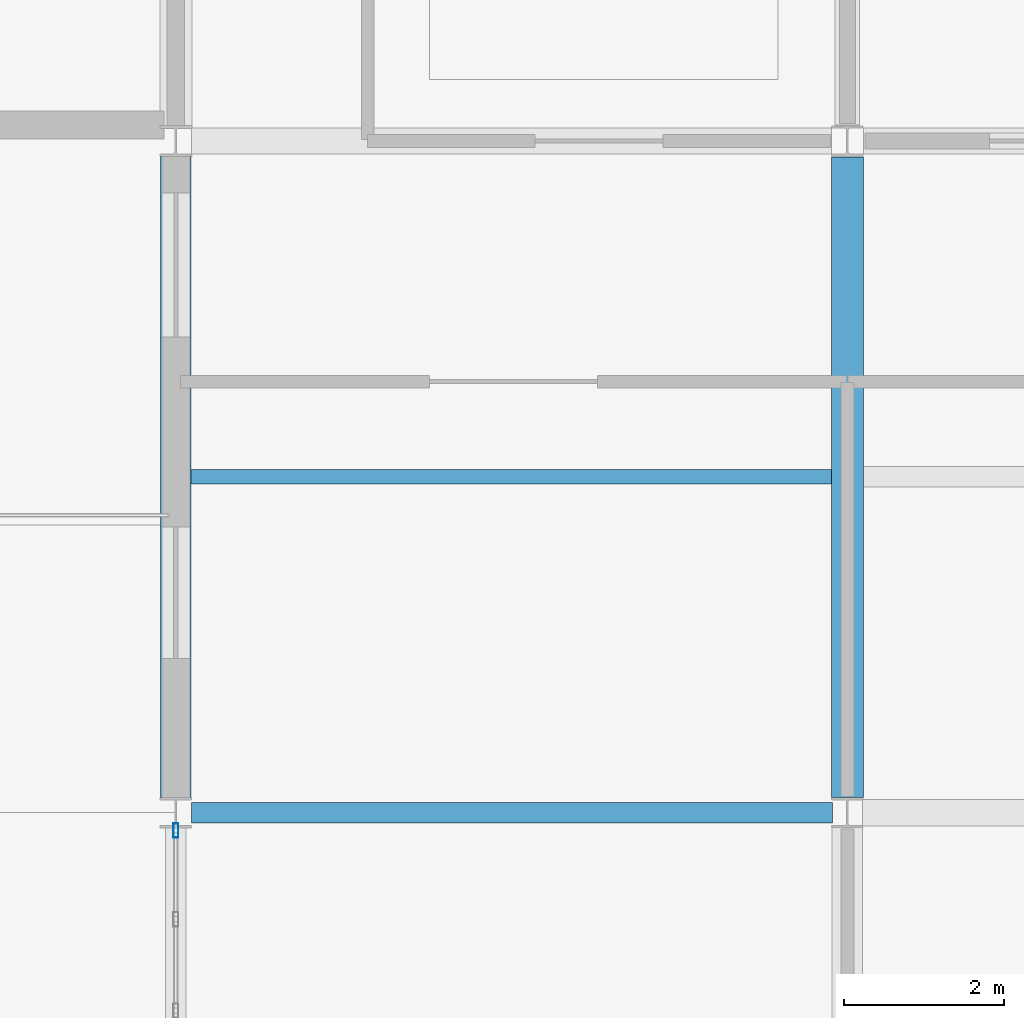
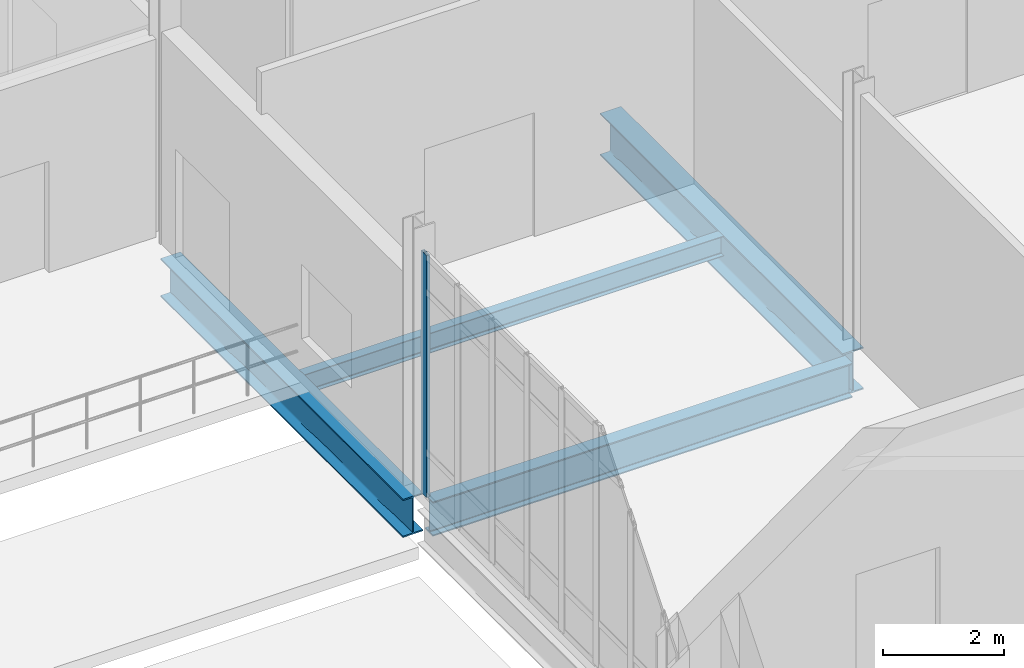
# One storey, part 25 of 229: 4 beams, 1 member, 1 element without a shape of its own.
"""IFC4 building model written with IfcOpenShell, lengths in metres."""

from ifc_helpers import new_model, si_unit, direction, frame, origin, origin_2d, place, context, subcontext, project, spatial, hollow_rectangle, i_section, extrude, material, layer, layer_set, material_profile, profile_set, type_object, element, aggregate, save


model = new_model("IFC4")

# Units and contexts
model_context = context("Model", 3, precision=1e-05, world=origin(), true_north=direction((0.0, 1.0)))
body_context = subcontext(model_context, "Body", "Model", "MODEL_VIEW")
ifc_project = project(units=[si_unit("LENGTHUNIT", "METRE"), si_unit("AREAUNIT", "SQUARE_METRE"), si_unit("VOLUMEUNIT", "CUBIC_METRE"), si_unit("PLANEANGLEUNIT", "RADIAN"), si_unit("MASSUNIT", "GRAM", prefix="KILO")], contexts=[model_context])

# Site, building, storey
site_placement = place(None, origin())
site = spatial("IfcSite", under=ifc_project, at=site_placement, CompositionType="ELEMENT")
building_placement = place(site_placement, origin())
building = spatial("IfcBuilding", under=site, at=building_placement, Name="Calvrana Isthmian Art Gallery", CompositionType="ELEMENT")
storey_placement = place(building_placement, origin())
storey = spatial("IfcBuildingStorey", under=building, at=storey_placement, Name="L00", CompositionType="ELEMENT", Elevation=0.0)

# Beams
ifc_material_1 = material(Name="Steel ASTM A992 Gr 50", Category="steel")
ifc_material_profile_1 = material_profile(ifc_material_1, i_section(OverallWidth=0.257080078125, OverallDepth=0.693115234375, WebThickness=0.014404296875, FlangeThickness=0.023681640625, FilletRadius=0.02392578125, at=origin_2d()), Name="W27X114")
ifc_profile_set_1 = profile_set([ifc_material_profile_1], Name="Steel ASTM A992 Gr 50")
beam_type_1 = type_object("IfcBeamType", Name="BM-G-W27X114", PredefinedType="BEAM", material=ifc_profile_set_1)
beam_1_placement = place(storey_placement, frame((21.797119140625, 30.0, -0.631591796875), z_axis=(1.0, 0.0, 0.0), x_axis=(0.0, 1.0, 0.0)))
element("IfcBeam", 1, at=beam_1_placement, inside=storey, type_object=beam_type_1, Name="Girder X L00 04-05/E", PredefinedType="BEAM", context=body_context, shape_type="SweptSolid", body=[
    extrude(i_section(OverallWidth=0.257080078125, OverallDepth=0.693115234375, WebThickness=0.014404296875, FlangeThickness=0.023681640625, FilletRadius=0.02392578125, at=origin_2d()), origin(), (0.0, 0.0, 1.0), 8.016357421875),
])
ifc_material_profile_2 = material_profile(ifc_material_1, i_section(OverallWidth=0.381103515625, OverallDepth=0.77197265625, WebThickness=0.0166015625, FlangeThickness=0.027099609375, FilletRadius=0.02490234375, at=origin_2d()), Name="W30X173")
ifc_profile_set_2 = profile_set([ifc_material_profile_2], Name="Steel ASTM A992 Gr 50")
beam_type_2 = type_object("IfcBeamType", Name="BM-G-W30X173", PredefinedType="BEAM", material=ifc_profile_set_2)
beam_2_placement = place(storey_placement, frame((21.60009765625, 30.18798828125, -0.6708984375), z_axis=(0.0, 1.0, 0.0), x_axis=(-1.0, 0.0, 0.0)))
element("IfcBeam", 2, at=beam_2_placement, inside=storey, type_object=beam_type_2, Name="Girder Y L00 04/E-F", PredefinedType="BEAM", context=body_context, shape_type="SweptSolid", body=[
    extrude(i_section(OverallWidth=0.381103515625, OverallDepth=0.77197265625, WebThickness=0.0166015625, FlangeThickness=0.027099609375, FilletRadius=0.02490234375, at=origin_2d()), origin(), (0.0, 0.0, 1.0), 8.021484375),
])
ifc_material_profile_3 = material_profile(ifc_material_1, i_section(OverallWidth=0.40087890625, OverallDepth=0.85595703125, WebThickness=0.018310546875, FlangeThickness=0.029296875, FilletRadius=0.02587890625, at=origin_2d()), Name="W33X201")
ifc_profile_set_3 = profile_set([ifc_material_profile_3], Name="Steel ASTM A992 Gr 50")
beam_type_3 = type_object("IfcBeamType", Name="BM-G-W33X201", PredefinedType="BEAM", material=ifc_profile_set_3)
beam_3_placement = place(storey_placement, frame((30.0, 30.1865234375, -0.712890625), z_axis=(0.0, 1.0, 0.0), x_axis=(-1.0, 0.0, 0.0)))
element("IfcBeam", 3, at=beam_3_placement, inside=storey, type_object=beam_type_3, Name="Girder Y L00 05/E-F", PredefinedType="BEAM", context=body_context, shape_type="SweptSolid", body=[
    extrude(i_section(OverallWidth=0.40087890625, OverallDepth=0.85595703125, WebThickness=0.018310546875, FlangeThickness=0.029296875, FilletRadius=0.02587890625, at=origin_2d()), origin(), (0.0, 0.0, 1.0), 8.013916015625),
])
ifc_material_profile_4 = material_profile(ifc_material_1, i_section(OverallWidth=0.177978515625, OverallDepth=0.404052734375, WebThickness=0.007568359375, FlangeThickness=0.010986328125, FilletRadius=0.01806640625, at=origin_2d()), Name="W16X36")
ifc_profile_set_4 = profile_set([ifc_material_profile_4], Name="Steel ASTM A992 Gr 50")
beam_type_4 = type_object("IfcBeamType", Name="BM-J-W16X36", PredefinedType="JOIST", material=ifc_profile_set_4)
beam_4_placement = place(storey_placement, frame((21.79052734375, 34.199951171875, -0.487060546875), z_axis=(1.0, 0.0, 0.0), x_axis=(0.0, 1.0, 0.0)))
element("IfcBeam", 4, at=beam_4_placement, inside=storey, type_object=beam_type_4, Name="Composite joist L00 bay 03-04", PredefinedType="JOIST", context=body_context, shape_type="SweptSolid", body=[
    extrude(i_section(OverallWidth=0.177978515625, OverallDepth=0.404052734375, WebThickness=0.007568359375, FlangeThickness=0.010986328125, FilletRadius=0.01806640625, at=origin_2d()), origin(), (0.0, 0.0, 1.0), 8.009033203125),
])

# Curtain wall, member
ifc_material_2 = material(Name="Anodized bronze aluminium 6063-T6", Category="aluminium")
ifc_layer = layer(ifc_material_2, 0.179931640625, Name="Anodized bronze aluminium 6063-T6")
ifc_layer_set = layer_set([ifc_layer], Name="Anodized bronze aluminium 6063-T6")
curtain_wall_type = type_object("IfcCurtainWallType", Name="CW-STICK-080X49", PredefinedType="NOTDEFINED", material=ifc_layer_set)
curtain_wall_placement = place(storey_placement, origin())
curtain_wall = element("IfcCurtainWall", 5, at=curtain_wall_placement, inside=storey, type_object=curtain_wall_type, Name="Curtain wall CW-056", PredefinedType="NOTDEFINED")
ifc_material_profile_5 = material_profile(ifc_material_2, hollow_rectangle(XDim=0.06494140625, YDim=0.179931640625, WallThickness=0.00439453125, at=origin_2d()), Name="CWM65X180")
ifc_profile_set_5 = profile_set([ifc_material_profile_5], Name="Anodized bronze aluminium 6063-T6")
member_type = type_object("IfcMemberType", Name="CWM-CWM65X180", PredefinedType="MULLION", material=ifc_profile_set_5)
member_placement = place(storey_placement, frame((21.60009765625, 29.777099609375, 0.0), z_axis=(0.0, 0.0, 1.0), x_axis=(-1.0, 0.0, 0.0)))
member = element("IfcMember", 6, at=member_placement, type_object=member_type, Name="CW-056 mullion 8", PredefinedType="MULLION", context=body_context, shape_type="SweptSolid", body=[
    extrude(hollow_rectangle(XDim=0.06494140625, YDim=0.179931640625, WallThickness=0.00439453125, at=origin_2d()), origin(), (0.0, 0.0, 1.0), 4.882568359375),
])
aggregate(curtain_wall, [member])

save(model, "model.ifc")
